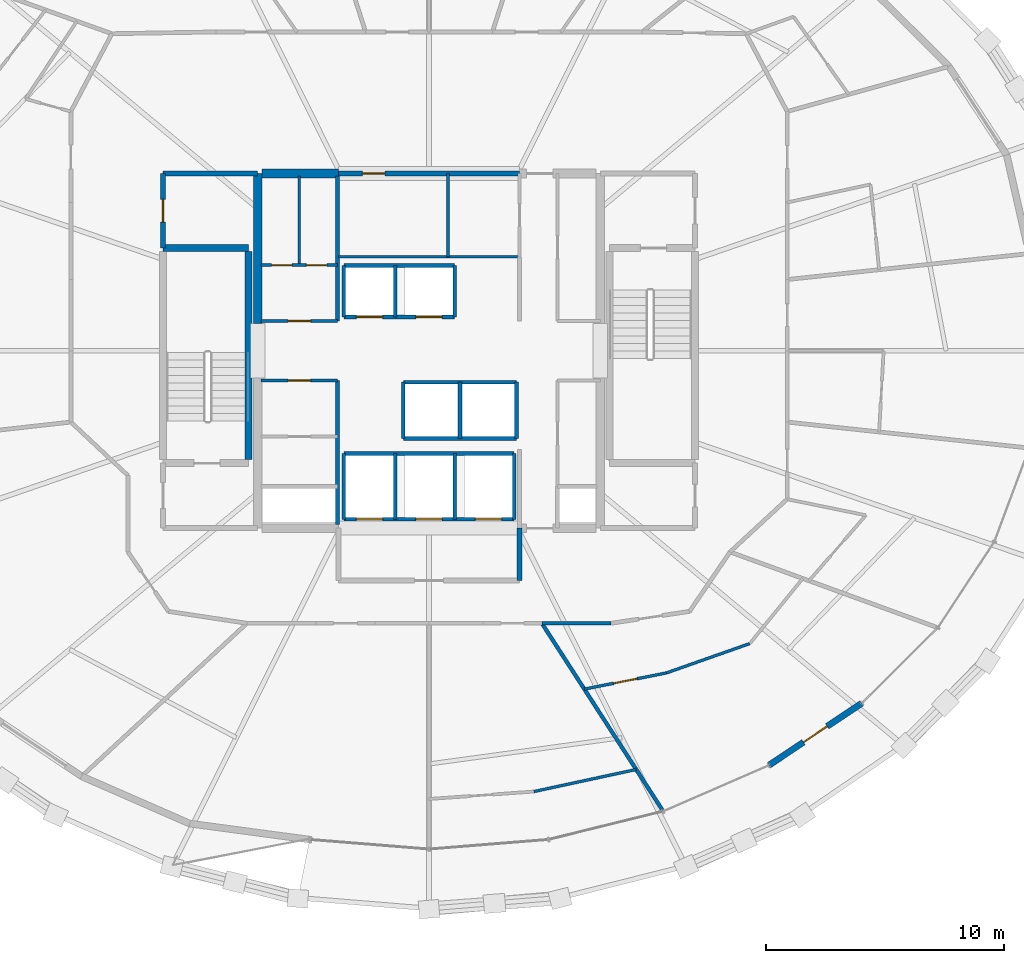
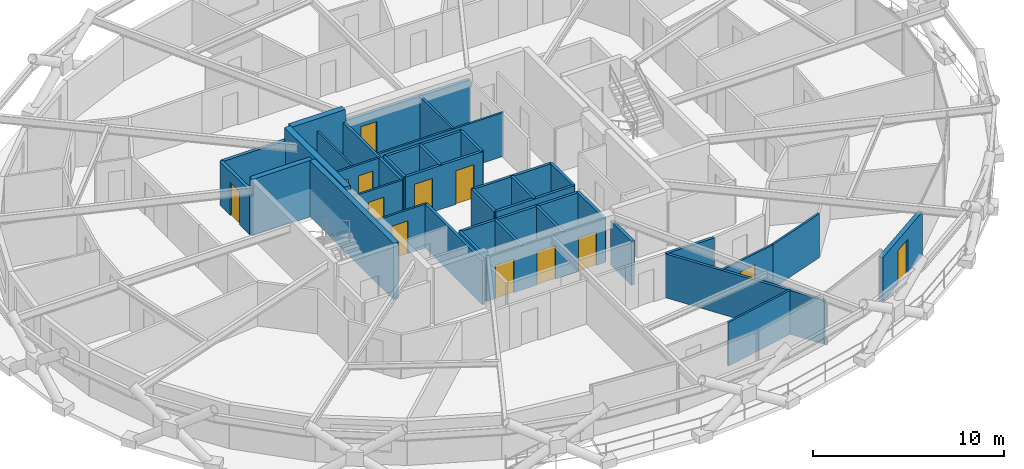
# One storey, part 15 of 19: 38 walls, 13 doors, 13 openings.
"""IFC4 building model written with IfcOpenShell, lengths in metres."""

from ifc_helpers import new_model, si_unit, direction, frame, frame_2d, origin, place, context, subcontext, project, spatial, rectangle, extrude, material, layer, layer_set, type_object, element, fill, save


model = new_model("IFC4")

# Units and contexts
model_context = context("Model", 3, precision=1e-05, world=origin(), true_north=direction((0.0, 1.0)))
body_context = subcontext(model_context, "Body", "Model", "MODEL_VIEW")
ifc_project = project(units=[si_unit("LENGTHUNIT", "METRE"), si_unit("AREAUNIT", "SQUARE_METRE"), si_unit("VOLUMEUNIT", "CUBIC_METRE"), si_unit("PLANEANGLEUNIT", "RADIAN"), si_unit("MASSUNIT", "GRAM", prefix="KILO")], contexts=[model_context])

# Site, building, storey
site_placement = place(None, origin())
site = spatial("IfcSite", under=ifc_project, at=site_placement, CompositionType="ELEMENT")
building_placement = place(site_placement, origin())
building = spatial("IfcBuilding", under=site, at=building_placement, Name="Veldorina Hangang Commons", CompositionType="ELEMENT")
storey_placement = place(building_placement, frame((0.0, 0.0, 156.800048828125)))
storey = spatial("IfcBuildingStorey", under=building, at=storey_placement, Name="L40", CompositionType="ELEMENT", Elevation=156.800048828125)

# Walls
ifc_material_1 = material(Name="Concrete C60/75", Category="concrete")
ifc_layer_1 = layer(ifc_material_1, 0.360107421875)
ifc_layer_set_1 = layer_set([ifc_layer_1], Name="Concrete C60/75")
wall_type_1 = type_object("IfcWallType", Name="CW-RC360-C60", PredefinedType="SHEAR", material=ifc_layer_set_1)
wall_1_placement = place(storey_placement, frame((24.800048828125, 25.14990234375, 0.0), z_axis=(0.0, 0.0, 1.0), x_axis=(0.0, 1.0, 0.0)))
element("IfcWall", 1, at=wall_1_placement, inside=storey, type_object=wall_type_1, Name="L40 W north core shear wall", PredefinedType="SHEAR", context=body_context, shape_type="SweptSolid", body=[
    extrude(rectangle(XDim=6.300048828125, YDim=0.360107421875, at=frame_2d((3.14990234375, 0.0))), origin(), (0.0, 0.0, 1.0), 3.599853515625),
])
wall_2_placement = place(storey_placement, frame((24.97998046875, 31.449951171875, 0.0), z_axis=(0.0, 0.0, 1.0), x_axis=(1.0, 0.0, 0.0)))
element("IfcWall", 2, at=wall_2_placement, inside=storey, type_object=wall_type_1, Name="L40 north-west core shear wall", PredefinedType="SHEAR", context=body_context, shape_type="SweptSolid", body=[
    extrude(rectangle(XDim=3.219970703125, YDim=0.360107421875, at=frame_2d((1.60986328125, 0.0))), origin(), (0.0, 0.0, 1.0), 3.599853515625),
])

# Wall, opening, door
ifc_material_2 = material(Name="Stone Roman Travertine", Category="masonry")
ifc_layer_2 = layer(ifc_material_2, 0.260009765625)
ifc_layer_set_2 = layer_set([ifc_layer_2], Name="Stone Roman Travertine")
wall_type_2 = type_object("IfcWallType", Name="EW-LOGGIA-260", PredefinedType="STANDARD", material=ifc_layer_set_2)
wall_3_placement = place(storey_placement, frame((46.286376953125, 6.58544921875, 0.0), z_axis=(0.0, 0.0, 1.0), x_axis=(0.831368522851, 0.555721494286, 0.0)))
wall_3 = element("IfcWall", 3, at=wall_3_placement, inside=storey, type_object=wall_type_2, Name="L40 sky-garden loggia portal wall 27", PredefinedType="STANDARD", context=body_context, shape_type="SweptSolid", body=[
    extrude(rectangle(XDim=4.68701171875, YDim=0.260009765625, at=frame_2d((2.343505859375, 0.0))), origin(), (0.0, 0.0, 1.0), 2.820068359375),
])
opening_1_placement = place(wall_3_placement, frame((1.74365234375, 0.0, 0.0)))
opening_1 = element("IfcOpeningElement", 4, at=opening_1_placement, cuts=wall_3, Name="Opening BD-1200", PredefinedType="OPENING", context=body_context, shape_type="SweptSolid", body=[
    extrude(rectangle(XDim=1.199951171875, YDim=2.14990234375, at=frame_2d((0.60009765625, 1.074951171875))), frame((0.0, 0.14013671875, 0.0), z_axis=(0.0, -1.0, 0.0), x_axis=(1.0, 0.0, 0.0)), (0.0, 0.0, 1.0), 0.280029296875),
])
ifc_material_3 = material(Name="Glass Thermal Aluminium Frame", Category="aluminium")
door_type_1 = type_object("IfcDoorType", Name="DR-EXT-LOG1200", OperationType="SINGLE_SWING_LEFT", PredefinedType="DOOR", material=ifc_material_3)
door_1_placement = place(opening_1_placement, origin())
door_1 = element("IfcDoor", 5, at=door_1_placement, inside=storey, type_object=door_type_1, Name="L40 loggia glazed exterior door 27", OperationType="SINGLE_SWING_RIGHT", OverallHeight=2.14990234375, OverallWidth=1.199951171875, PredefinedType="DOOR", context=body_context, shape_type="SweptSolid", body=[
    extrude(rectangle(XDim=1.199951171875, YDim=2.14990234375, at=frame_2d((0.60009765625, 1.074951171875))), frame((0.0, 0.02490234375, 0.0), z_axis=(0.0, -1.0, 0.0), x_axis=(1.0, 0.0, 0.0)), (0.0, 0.0, 1.0), 0.050048828125),
])
fill(opening_1, door_1)

# Walls
ifc_material_4 = material(Name="Concrete C50/60", Category="concrete")
ifc_layer_3 = layer(ifc_material_4, 0.300048828125)
ifc_layer_set_3 = layer_set([ifc_layer_3], Name="Concrete C50/60")
wall_type_3 = type_object("IfcWallType", Name="SW-STAIR-300", PredefinedType="SHEAR", material=ifc_layer_set_3)
wall_4_placement = place(storey_placement, frame((24.419921875, 19.429931640625, 0.0), z_axis=(0.0, 0.0, 1.0), x_axis=(0.0, 1.0, 0.0)))
element("IfcWall", 6, at=wall_4_placement, inside=storey, type_object=wall_type_3, Name="L40 ST1 inner stair shear wall", PredefinedType="SHEAR", context=body_context, shape_type="SweptSolid", body=[
    extrude(rectangle(XDim=8.739990234375, YDim=0.300048828125, at=frame_2d((4.3701171875, 0.0))), origin(), (0.0, 0.0, 1.0), 3.599853515625),
])
wall_5_placement = place(storey_placement, frame((20.820068359375, 28.320068359375, 0.0), z_axis=(0.0, 0.0, 1.0), x_axis=(1.0, 0.0, 0.0)))
element("IfcWall", 7, at=wall_5_placement, inside=storey, type_object=wall_type_3, Name="L40 ST1 north stair shear wall", PredefinedType="SHEAR", context=body_context, shape_type="SweptSolid", body=[
    extrude(rectangle(XDim=3.599853515625, YDim=0.300048828125, at=frame_2d((1.7998046875, 0.0))), origin(), (0.0, 0.0, 1.0), 3.599853515625),
])

# Wall, openings, doors
ifc_material_5 = material(Name="Gypsum Fire-Rated Twin Stud Wall", Category="gypsum")
ifc_layer_4 = layer(ifc_material_5, 0.159912109375)
ifc_layer_set_4 = layer_set([ifc_layer_4], Name="Gypsum Fire-Rated Twin Stud Wall")
wall_type_4 = type_object("IfcWallType", Name="WL-FIRE-160", PredefinedType="SOLIDWALL", material=ifc_layer_set_4)
wall_6_placement = place(storey_placement, frame((28.419921875, 25.419921875, 0.0), z_axis=(0.0, 0.0, 1.0), x_axis=(1.0, 0.0, 0.0)))
wall_6 = element("IfcWall", 8, at=wall_6_placement, inside=storey, type_object=wall_type_4, Name="L40 Mid-high front shaft wall 015", PredefinedType="SOLIDWALL", context=body_context, shape_type="SweptSolid", body=[
    extrude(rectangle(XDim=4.66015625, YDim=0.159912109375, at=frame_2d((2.330078125, 0.0))), origin(), (0.0, 0.0, 1.0), 2.800048828125),
])
opening_2_placement = place(wall_6_placement, frame((0.530029296875, 0.0, 0.0)))
opening_2 = element("IfcOpeningElement", 9, at=opening_2_placement, cuts=wall_6, Name="Opening LD-01", PredefinedType="OPENING", context=body_context, shape_type="SweptSolid", body=[
    extrude(rectangle(XDim=1.10009765625, YDim=2.14990234375, at=frame_2d((0.550048828125, 1.074951171875))), frame((0.0, 0.08984375, 0.0), z_axis=(0.0, -1.0, 0.0), x_axis=(1.0, 0.0, 0.0)), (0.0, 0.0, 1.0), 0.179931640625),
])
opening_3_placement = place(wall_6_placement, frame((3.030029296875, 0.0, 0.0)))
opening_3 = element("IfcOpeningElement", 10, at=opening_3_placement, cuts=wall_6, Name="Opening LD-01", PredefinedType="OPENING", context=body_context, shape_type="SweptSolid", body=[
    extrude(rectangle(XDim=1.10009765625, YDim=2.14990234375, at=frame_2d((0.550048828125, 1.074951171875))), frame((0.0, 0.08984375, 0.0), z_axis=(0.0, -1.0, 0.0), x_axis=(1.0, 0.0, 0.0)), (0.0, 0.0, 1.0), 0.179931640625),
])
ifc_material_6 = material(Name="Stainless Steel Brushed Lift Door", Category="steel")
door_type_2 = type_object("IfcDoorType", Name="DR-LIFT-1100", OperationType="SLIDING_TO_LEFT", PredefinedType="DOOR", material=ifc_material_6)
door_2_placement = place(opening_2_placement, origin())
door_2 = element("IfcDoor", 11, at=door_2_placement, inside=storey, type_object=door_type_2, Name="L40 Lift PL-M1 landing door 006", OperationType="SLIDING_TO_RIGHT", OverallHeight=2.14990234375, OverallWidth=1.10009765625, PredefinedType="DOOR", context=body_context, shape_type="SweptSolid", body=[
    extrude(rectangle(XDim=1.10009765625, YDim=2.14990234375, at=frame_2d((0.550048828125, 1.074951171875))), frame((0.0, 0.02490234375, 0.0), z_axis=(0.0, -1.0, 0.0), x_axis=(1.0, 0.0, 0.0)), (0.0, 0.0, 1.0), 0.050048828125),
])
fill(opening_2, door_2)
door_3_placement = place(opening_3_placement, origin())
door_3 = element("IfcDoor", 12, at=door_3_placement, inside=storey, type_object=door_type_2, Name="L40 Lift PL-M2 landing door 007", OperationType="SLIDING_TO_RIGHT", OverallHeight=2.14990234375, OverallWidth=1.10009765625, PredefinedType="DOOR", context=body_context, shape_type="SweptSolid", body=[
    extrude(rectangle(XDim=1.10009765625, YDim=2.14990234375, at=frame_2d((0.550048828125, 1.074951171875))), frame((0.0, 0.02490234375, 0.0), z_axis=(0.0, -1.0, 0.0), x_axis=(1.0, 0.0, 0.0)), (0.0, 0.0, 1.0), 0.050048828125),
])
fill(opening_3, door_3)

# Walls
wall_7_placement = place(storey_placement, frame((28.419921875, 27.580078125, 0.0), z_axis=(0.0, 0.0, 1.0), x_axis=(1.0, 0.0, 0.0)))
element("IfcWall", 13, at=wall_7_placement, inside=storey, type_object=wall_type_4, Name="L40 Mid-high rear shaft wall 016", PredefinedType="SOLIDWALL", context=body_context, shape_type="SweptSolid", body=[
    extrude(rectangle(XDim=4.66015625, YDim=0.159912109375, at=frame_2d((2.330078125, 0.0))), origin(), (0.0, 0.0, 1.0), 2.800048828125),
])
for number, where, z_axis, x_axis, name in (
    (14, (28.419921875, 25.419921875, 0.0), (0.0, 0.0, 1.0), (0.0, 1.0, 0.0), "L40 PL-M1 west shaft wall 017"),
    (15, (30.580078125, 25.419921875, 0.0), (0.0, 0.0, 1.0), (0.0, 1.0, 0.0), "L40 PL-M1 east shaft wall 018"),
    (16, (33.080078125, 25.419921875, 0.0), (0.0, 0.0, 1.0), (0.0, 1.0, 0.0), "L40 PL-M2 east shaft wall 019"),
):
    element("IfcWall", number, at=place(storey_placement, frame(where, z_axis=z_axis, x_axis=x_axis)), inside=storey, type_object=wall_type_4, Name=name, PredefinedType="SOLIDWALL", context=body_context, shape_type="SweptSolid", body=[
        extrude(rectangle(XDim=2.16015625, YDim=0.159912109375, at=frame_2d((1.080078125, 0.0))), origin(), (0.0, 0.0, 1.0), 2.800048828125),
    ])
for number, where, z_axis, x_axis, name in (
    (17, (30.919921875, 22.679931640625, 0.0), (0.0, 0.0, 1.0), (1.0, 0.0, 0.0), "L40 Shuttle-high front shaft wall 020"),
    (18, (30.919921875, 20.320068359375, 0.0), (0.0, 0.0, 1.0), (1.0, 0.0, 0.0), "L40 Shuttle-high rear shaft wall 021"),
):
    element("IfcWall", number, at=place(storey_placement, frame(where, z_axis=z_axis, x_axis=x_axis)), inside=storey, type_object=wall_type_4, Name=name, PredefinedType="SOLIDWALL", context=body_context, shape_type="SweptSolid", body=[
        extrude(rectangle(XDim=4.760009765625, YDim=0.159912109375, at=frame_2d((2.3798828125, 0.0))), origin(), (0.0, 0.0, 1.0), 2.800048828125),
    ])
for number, where, z_axis, x_axis, name in (
    (19, (30.919921875, 20.320068359375, 0.0), (0.0, 0.0, 1.0), (0.0, 1.0, 0.0), "L40 SL-1 west shaft wall 022"),
    (20, (33.300048828125, 20.320068359375, 0.0), (0.0, 0.0, 1.0), (0.0, 1.0, 0.0), "L40 SL-1 east shaft wall 023"),
    (21, (35.679931640625, 20.320068359375, 0.0), (0.0, 0.0, 1.0), (0.0, 1.0, 0.0), "L40 SL-2 east shaft wall 024"),
):
    element("IfcWall", number, at=place(storey_placement, frame(where, z_axis=z_axis, x_axis=x_axis)), inside=storey, type_object=wall_type_4, Name=name, PredefinedType="SOLIDWALL", context=body_context, shape_type="SweptSolid", body=[
        extrude(rectangle(XDim=2.35986328125, YDim=0.159912109375, at=frame_2d((1.179931640625, 0.0))), origin(), (0.0, 0.0, 1.0), 2.800048828125),
    ])

# Wall, openings, doors
wall_8_placement = place(storey_placement, frame((28.419921875, 16.919921875, 0.0), z_axis=(0.0, 0.0, 1.0), x_axis=(1.0, 0.0, 0.0)))
wall_8 = element("IfcWall", 22, at=wall_8_placement, inside=storey, type_object=wall_type_4, Name="L40 Emergency front shaft wall 025", PredefinedType="SOLIDWALL", context=body_context, shape_type="SweptSolid", body=[
    extrude(rectangle(XDim=7.16015625, YDim=0.159912109375, at=frame_2d((3.580078125, 0.0))), origin(), (0.0, 0.0, 1.0), 2.800048828125),
])
opening_4_placement = place(wall_8_placement, frame((0.530029296875, 0.0, 0.0)))
opening_4 = element("IfcOpeningElement", 23, at=opening_4_placement, cuts=wall_8, Name="Opening LD-03", PredefinedType="OPENING", context=body_context, shape_type="SweptSolid", body=[
    extrude(rectangle(XDim=1.10009765625, YDim=2.14990234375, at=frame_2d((0.550048828125, 1.074951171875))), frame((0.0, 0.08984375, 0.0), z_axis=(0.0, -1.0, 0.0), x_axis=(1.0, 0.0, 0.0)), (0.0, 0.0, 1.0), 0.179931640625),
])
opening_5_placement = place(wall_8_placement, frame((3.030029296875, 0.0, 0.0)))
opening_5 = element("IfcOpeningElement", 24, at=opening_5_placement, cuts=wall_8, Name="Opening LD-03", PredefinedType="OPENING", context=body_context, shape_type="SweptSolid", body=[
    extrude(rectangle(XDim=1.10009765625, YDim=2.14990234375, at=frame_2d((0.550048828125, 1.074951171875))), frame((0.0, 0.08984375, 0.0), z_axis=(0.0, -1.0, 0.0), x_axis=(1.0, 0.0, 0.0)), (0.0, 0.0, 1.0), 0.179931640625),
])
opening_6_placement = place(wall_8_placement, frame((5.530029296875, 0.0, 0.0)))
opening_6 = element("IfcOpeningElement", 25, at=opening_6_placement, cuts=wall_8, Name="Opening LD-03", PredefinedType="OPENING", context=body_context, shape_type="SweptSolid", body=[
    extrude(rectangle(XDim=1.10009765625, YDim=2.14990234375, at=frame_2d((0.550048828125, 1.074951171875))), frame((0.0, 0.08984375, 0.0), z_axis=(0.0, -1.0, 0.0), x_axis=(1.0, 0.0, 0.0)), (0.0, 0.0, 1.0), 0.179931640625),
])
ifc_material_7 = material(Name="Stainless Steel Firefighting Lift Door", Category="steel")
door_type_3 = type_object("IfcDoorType", Name="DR-LIFT-FF1100", OperationType="SLIDING_TO_RIGHT", PredefinedType="DOOR", material=ifc_material_7)
door_4_placement = place(opening_4_placement, origin())
door_4 = element("IfcDoor", 26, at=door_4_placement, inside=storey, type_object=door_type_3, Name="L40 Emergency lift FFL-1 landing door 008", OperationType="SLIDING_TO_RIGHT", OverallHeight=2.14990234375, OverallWidth=1.10009765625, PredefinedType="DOOR", context=body_context, shape_type="SweptSolid", body=[
    extrude(rectangle(XDim=1.10009765625, YDim=2.14990234375, at=frame_2d((0.550048828125, 1.074951171875))), frame((0.0, 0.02490234375, 0.0), z_axis=(0.0, -1.0, 0.0), x_axis=(1.0, 0.0, 0.0)), (0.0, 0.0, 1.0), 0.050048828125),
])
fill(opening_4, door_4)
door_5_placement = place(opening_5_placement, origin())
door_5 = element("IfcDoor", 27, at=door_5_placement, inside=storey, type_object=door_type_3, Name="L40 Emergency lift FFL-2 landing door 009", OperationType="SLIDING_TO_RIGHT", OverallHeight=2.14990234375, OverallWidth=1.10009765625, PredefinedType="DOOR", context=body_context, shape_type="SweptSolid", body=[
    extrude(rectangle(XDim=1.10009765625, YDim=2.14990234375, at=frame_2d((0.550048828125, 1.074951171875))), frame((0.0, 0.02490234375, 0.0), z_axis=(0.0, -1.0, 0.0), x_axis=(1.0, 0.0, 0.0)), (0.0, 0.0, 1.0), 0.050048828125),
])
fill(opening_5, door_5)
door_6_placement = place(opening_6_placement, origin())
door_6 = element("IfcDoor", 28, at=door_6_placement, inside=storey, type_object=door_type_3, Name="L40 Emergency lift EVL-1 landing door 010", OperationType="SLIDING_TO_RIGHT", OverallHeight=2.14990234375, OverallWidth=1.10009765625, PredefinedType="DOOR", context=body_context, shape_type="SweptSolid", body=[
    extrude(rectangle(XDim=1.10009765625, YDim=2.14990234375, at=frame_2d((0.550048828125, 1.074951171875))), frame((0.0, 0.02490234375, 0.0), z_axis=(0.0, -1.0, 0.0), x_axis=(1.0, 0.0, 0.0)), (0.0, 0.0, 1.0), 0.050048828125),
])
fill(opening_6, door_6)

# Walls
wall_9_placement = place(storey_placement, frame((28.419921875, 19.679931640625, 0.0), z_axis=(0.0, 0.0, 1.0), x_axis=(1.0, 0.0, 0.0)))
element("IfcWall", 29, at=wall_9_placement, inside=storey, type_object=wall_type_4, Name="L40 Emergency rear shaft wall 026", PredefinedType="SOLIDWALL", context=body_context, shape_type="SweptSolid", body=[
    extrude(rectangle(XDim=7.16015625, YDim=0.159912109375, at=frame_2d((3.580078125, 0.0))), origin(), (0.0, 0.0, 1.0), 2.800048828125),
])
for number, where, z_axis, x_axis, name in (
    (30, (28.419921875, 16.919921875, 0.0), (0.0, 0.0, 1.0), (0.0, 1.0, 0.0), "L40 FFL-1 west shaft wall 027"),
    (31, (30.580078125, 16.919921875, 0.0), (0.0, 0.0, 1.0), (0.0, 1.0, 0.0), "L40 FFL-1 east shaft wall 028"),
    (32, (33.080078125, 16.919921875, 0.0), (0.0, 0.0, 1.0), (0.0, 1.0, 0.0), "L40 FFL-2 east shaft wall 029"),
    (33, (35.580078125, 16.919921875, 0.0), (0.0, 0.0, 1.0), (0.0, 1.0, 0.0), "L40 EVL-1 east shaft wall 030"),
):
    element("IfcWall", number, at=place(storey_placement, frame(where, z_axis=z_axis, x_axis=x_axis)), inside=storey, type_object=wall_type_4, Name=name, PredefinedType="SOLIDWALL", context=body_context, shape_type="SweptSolid", body=[
        extrude(rectangle(XDim=2.760009765625, YDim=0.159912109375, at=frame_2d((1.3798828125, 0.0))), origin(), (0.0, 0.0, 1.0), 2.800048828125),
    ])
wall_10_placement = place(storey_placement, frame((28.14990234375, 16.699951171875, 0.0), z_axis=(0.0, 0.0, 1.0), x_axis=(0.0, 1.0, 0.0)))
element("IfcWall", 34, at=wall_10_placement, inside=storey, type_object=wall_type_4, Name="L40 SW core inner wall 036", PredefinedType="SOLIDWALL", context=body_context, shape_type="SweptSolid", body=[
    extrude(rectangle(XDim=6.050048828125, YDim=0.159912109375, at=frame_2d((3.02490234375, 0.0))), origin(), (0.0, 0.0, 1.0), 2.800048828125),
])
wall_11_placement = place(storey_placement, frame((28.14990234375, 25.25, 0.0), z_axis=(0.0, 0.0, 1.0), x_axis=(0.0, 1.0, 0.0)))
element("IfcWall", 35, at=wall_11_placement, inside=storey, type_object=wall_type_4, Name="L40 NW core inner wall 038", PredefinedType="SOLIDWALL", context=body_context, shape_type="SweptSolid", body=[
    extrude(rectangle(XDim=6.10009765625, YDim=0.159912109375, at=frame_2d((3.050048828125, 0.0))), origin(), (0.0, 0.0, 1.0), 2.800048828125),
])
wall_12_placement = place(storey_placement, frame((36.74267578125, 12.550048828125, 0.0), z_axis=(0.0, 0.0, 1.0), x_axis=(1.0, 0.0, 0.0)))
element("IfcWall", 36, at=wall_12_placement, inside=storey, type_object=wall_type_4, Name="L40 U-corridor outer wall 26 074", PredefinedType="SOLIDWALL", context=body_context, shape_type="SweptSolid", body=[
    extrude(rectangle(XDim=2.907958984375, YDim=0.159912109375, at=frame_2d((1.4541015625, 0.0))), origin(), (0.0, 0.0, 1.0), 2.800048828125),
])
wall_13_placement = place(storey_placement, frame((36.74267578125, 12.550048828125, 0.0), z_axis=(0.0, 0.0, 1.0), x_axis=(0.542222596655, -0.840234881254, 0.0)))
element("IfcWall", 37, at=wall_13_placement, inside=storey, type_object=wall_type_4, Name="L40 Unit party wall 26 080", PredefinedType="SOLIDWALL", context=body_context, shape_type="SweptSolid", body=[
    extrude(rectangle(XDim=9.352294921875, YDim=0.159912109375, at=frame_2d((4.67626953125, 0.0))), origin(), (0.0, 0.0, 1.0), 2.800048828125),
])

# Wall, opening, door
ifc_material_8 = material(Name="Concrete Blockwork Fire Wall C30/37", Category="masonry")
ifc_layer_5 = layer(ifc_material_8, 0.199951171875)
ifc_layer_set_5 = layer_set([ifc_layer_5], Name="Concrete Blockwork Fire Wall C30/37")
wall_type_5 = type_object("IfcWallType", Name="WL-FIRE-200", PredefinedType="SOLIDWALL", material=ifc_layer_set_5)
wall_14_placement = place(storey_placement, frame((20.820068359375, 28.320068359375, 0.0), z_axis=(0.0, 0.0, 1.0), x_axis=(0.0, 1.0, 0.0)))
wall_14 = element("IfcWall", 38, at=wall_14_placement, inside=storey, type_object=wall_type_5, Name="L40 NW core room outer wall 005", PredefinedType="SOLIDWALL", context=body_context, shape_type="SweptSolid", body=[
    extrude(rectangle(XDim=3.1298828125, YDim=0.199951171875, at=frame_2d((1.56494140625, 0.0))), origin(), (0.0, 0.0, 1.0), 2.800048828125),
])
opening_7_placement = place(wall_14_placement, frame((1.090087890625, 0.0, 0.0)))
opening_7 = element("IfcOpeningElement", 39, at=opening_7_placement, cuts=wall_14, Name="Opening D-04", PredefinedType="OPENING", context=body_context, shape_type="SweptSolid", body=[
    extrude(rectangle(XDim=0.949951171875, YDim=2.10009765625, at=frame_2d((0.47509765625, 1.050048828125))), frame((0.0, 0.10986328125, 0.0), z_axis=(0.0, -1.0, 0.0), x_axis=(1.0, 0.0, 0.0)), (0.0, 0.0, 1.0), 0.219970703125),
])
ifc_material_9 = material(Name="Timber Accessible Flush Leaf", Category="wood")
door_type_4 = type_object("IfcDoorType", Name="DR-ACC-950", OperationType="SINGLE_SWING_LEFT", PredefinedType="DOOR", material=ifc_material_9)
door_7_placement = place(opening_7_placement, origin())
door_7 = element("IfcDoor", 40, at=door_7_placement, inside=storey, type_object=door_type_4, Name="L40 NW core WC door 003", OperationType="SINGLE_SWING_LEFT", OverallHeight=2.10009765625, OverallWidth=0.949951171875, PredefinedType="DOOR", context=body_context, shape_type="SweptSolid", body=[
    extrude(rectangle(XDim=0.949951171875, YDim=2.10009765625, at=frame_2d((0.47509765625, 1.050048828125))), frame((0.0, 0.02490234375, 0.0), z_axis=(0.0, -1.0, 0.0), x_axis=(1.0, 0.0, 0.0)), (0.0, 0.0, 1.0), 0.050048828125),
])
fill(opening_7, door_7)

# Walls
wall_15_placement = place(storey_placement, frame((20.820068359375, 31.449951171875, 0.0), z_axis=(0.0, 0.0, 1.0), x_axis=(1.0, 0.0, 0.0)))
element("IfcWall", 41, at=wall_15_placement, inside=storey, type_object=wall_type_5, Name="L40 NW core room north wall 006", PredefinedType="SOLIDWALL", context=body_context, shape_type="SweptSolid", body=[
    extrude(rectangle(XDim=3.97998046875, YDim=0.199951171875, at=frame_2d((1.989990234375, 0.0))), origin(), (0.0, 0.0, 1.0), 2.800048828125),
])
wall_16_placement = place(storey_placement, frame((35.800048828125, 14.35009765625, 0.0), z_axis=(0.0, 0.0, 1.0), x_axis=(0.0, 1.0, 0.0)))
element("IfcWall", 42, at=wall_16_placement, inside=storey, type_object=wall_type_5, Name="L40 FF lobby east wall 013", PredefinedType="SOLIDWALL", context=body_context, shape_type="SweptSolid", body=[
    extrude(rectangle(XDim=2.199951171875, YDim=0.199951171875, at=frame_2d((1.10009765625, 0.0))), origin(), (0.0, 0.0, 1.0), 2.800048828125),
])

# Wall, opening, door
wall_17_placement = place(storey_placement, frame((28.199951171875, 31.449951171875, 0.0), z_axis=(0.0, 0.0, 1.0), x_axis=(1.0, 0.0, 0.0)))
wall_17 = element("IfcWall", 43, at=wall_17_placement, inside=storey, type_object=wall_type_5, Name="L40 Merged north core wall 031", PredefinedType="SOLIDWALL", context=body_context, shape_type="SweptSolid", body=[
    extrude(rectangle(XDim=7.60009765625, YDim=0.199951171875, at=frame_2d((3.800048828125, 0.0))), origin(), (0.0, 0.0, 1.0), 2.800048828125),
])
opening_8_placement = place(wall_17_placement, frame((1.0, 0.0, 0.0)))
opening_8 = element("IfcOpeningElement", 44, at=opening_8_placement, cuts=wall_17, Name="Opening D-02", PredefinedType="OPENING", context=body_context, shape_type="SweptSolid", body=[
    extrude(rectangle(XDim=0.949951171875, YDim=2.10009765625, at=frame_2d((0.47509765625, 1.050048828125))), frame((0.0, 0.10986328125, 0.0), z_axis=(0.0, -1.0, 0.0), x_axis=(1.0, 0.0, 0.0)), (0.0, 0.0, 1.0), 0.219970703125),
])
ifc_material_10 = material(Name="Timber Solid Core Acoustic", Category="wood")
door_type_5 = type_object("IfcDoorType", Name="DR-INT-950", OperationType="SINGLE_SWING_LEFT", PredefinedType="DOOR", material=ifc_material_10)
door_8_placement = place(opening_8_placement, origin())
door_8 = element("IfcDoor", 45, at=door_8_placement, inside=storey, type_object=door_type_5, Name="L40 Core study alcove door 011", OperationType="SINGLE_SWING_LEFT", OverallHeight=2.10009765625, OverallWidth=0.949951171875, PredefinedType="DOOR", context=body_context, shape_type="SweptSolid", body=[
    extrude(rectangle(XDim=0.949951171875, YDim=2.10009765625, at=frame_2d((0.47509765625, 1.050048828125))), frame((0.0, 0.02490234375, 0.0), z_axis=(0.0, -1.0, 0.0), x_axis=(1.0, 0.0, 0.0)), (0.0, 0.0, 1.0), 0.050048828125),
])
fill(opening_8, door_8)

# Walls
ifc_material_11 = material(Name="Gypsum Acoustic Stud Partition", Category="gypsum")
ifc_layer_6 = layer(ifc_material_11, 0.1201171875)
ifc_layer_set_6 = layer_set([ifc_layer_6], Name="Gypsum Acoustic Stud Partition")
wall_type_6 = type_object("IfcWallType", Name="WL-PART-120", PredefinedType="PARTITIONING", material=ifc_layer_set_6)
wall_18_placement = place(storey_placement, frame((28.199951171875, 27.949951171875, 0.0), z_axis=(0.0, 0.0, 1.0), x_axis=(1.0, 0.0, 0.0)))
element("IfcWall", 46, at=wall_18_placement, inside=storey, type_object=wall_type_6, Name="L40 Merged north south wall 032", PredefinedType="PARTITIONING", context=body_context, shape_type="SweptSolid", body=[
    extrude(rectangle(XDim=7.60009765625, YDim=0.1201171875, at=frame_2d((3.800048828125, 0.0))), origin(), (0.0, 0.0, 1.0), 2.800048828125),
])
wall_19_placement = place(storey_placement, frame((32.800048828125, 27.949951171875, 0.0), z_axis=(0.0, 0.0, 1.0), x_axis=(0.0, 1.0, 0.0)))
element("IfcWall", 47, at=wall_19_placement, inside=storey, type_object=wall_type_6, Name="L40 Merged north split wall 034", PredefinedType="PARTITIONING", context=body_context, shape_type="SweptSolid", body=[
    extrude(rectangle(XDim=3.5, YDim=0.1201171875, at=frame_2d((1.75, 0.0))), origin(), (0.0, 0.0, 1.0), 2.800048828125),
])

# Wall, opening, door
wall_20_placement = place(storey_placement, frame((24.949951171875, 25.25, 0.0), z_axis=(0.0, 0.0, 1.0), x_axis=(1.0, 0.0, 0.0)))
wall_20 = element("IfcWall", 48, at=wall_20_placement, inside=storey, type_object=wall_type_6, Name="L40 NW service south wall 039", PredefinedType="PARTITIONING", context=body_context, shape_type="SweptSolid", body=[
    extrude(rectangle(XDim=3.199951171875, YDim=0.1201171875, at=frame_2d((1.60009765625, 0.0))), origin(), (0.0, 0.0, 1.0), 2.800048828125),
])
opening_9_placement = place(wall_20_placement, frame((1.125, 0.0, 0.0)))
opening_9 = element("IfcOpeningElement", 49, at=opening_9_placement, cuts=wall_20, Name="Opening D-02", PredefinedType="OPENING", context=body_context, shape_type="SweptSolid", body=[
    extrude(rectangle(XDim=0.949951171875, YDim=2.10009765625, at=frame_2d((0.47509765625, 1.050048828125))), frame((0.0, 0.070068359375, 0.0), z_axis=(0.0, -1.0, 0.0), x_axis=(1.0, 0.0, 0.0)), (0.0, 0.0, 1.0), 0.14013671875),
])
door_9_placement = place(opening_9_placement, origin())
door_9 = element("IfcDoor", 50, at=door_9_placement, inside=storey, type_object=door_type_5, Name="L40 Utility vestibule door 013", OperationType="SINGLE_SWING_LEFT", OverallHeight=2.10009765625, OverallWidth=0.949951171875, PredefinedType="DOOR", context=body_context, shape_type="SweptSolid", body=[
    extrude(rectangle(XDim=0.949951171875, YDim=2.10009765625, at=frame_2d((0.47509765625, 1.050048828125))), frame((0.0, 0.02490234375, 0.0), z_axis=(0.0, -1.0, 0.0), x_axis=(1.0, 0.0, 0.0)), (0.0, 0.0, 1.0), 0.050048828125),
])
fill(opening_9, door_9)

wall_21_placement = place(storey_placement, frame((24.949951171875, 22.75, 0.0), z_axis=(0.0, 0.0, 1.0), x_axis=(1.0, 0.0, 0.0)))
wall_21 = element("IfcWall", 51, at=wall_21_placement, inside=storey, type_object=wall_type_6, Name="L40 SW service north wall 040", PredefinedType="PARTITIONING", context=body_context, shape_type="SweptSolid", body=[
    extrude(rectangle(XDim=3.199951171875, YDim=0.1201171875, at=frame_2d((1.60009765625, 0.0))), origin(), (0.0, 0.0, 1.0), 2.800048828125),
])
opening_10_placement = place(wall_21_placement, frame((1.125, 0.0, 0.0)))
opening_10 = element("IfcOpeningElement", 52, at=opening_10_placement, cuts=wall_21, Name="Opening D-02", PredefinedType="OPENING", context=body_context, shape_type="SweptSolid", body=[
    extrude(rectangle(XDim=0.949951171875, YDim=2.10009765625, at=frame_2d((0.47509765625, 1.050048828125))), frame((0.0, 0.070068359375, 0.0), z_axis=(0.0, -1.0, 0.0), x_axis=(1.0, 0.0, 0.0)), (0.0, 0.0, 1.0), 0.14013671875),
])
door_10_placement = place(opening_10_placement, origin())
door_10 = element("IfcDoor", 53, at=door_10_placement, inside=storey, type_object=door_type_5, Name="L40 Recycling room door 016", OperationType="SINGLE_SWING_RIGHT", OverallHeight=2.10009765625, OverallWidth=0.949951171875, PredefinedType="DOOR", context=body_context, shape_type="SweptSolid", body=[
    extrude(rectangle(XDim=0.949951171875, YDim=2.10009765625, at=frame_2d((0.47509765625, 1.050048828125))), frame((0.0, 0.02490234375, 0.0), z_axis=(0.0, -1.0, 0.0), x_axis=(1.0, 0.0, 0.0)), (0.0, 0.0, 1.0), 0.050048828125),
])
fill(opening_10, door_10)

# Wall, openings, doors
wall_22_placement = place(storey_placement, frame((24.949951171875, 27.60009765625, 0.0), z_axis=(0.0, 0.0, 1.0), x_axis=(1.0, 0.0, 0.0)))
wall_22 = element("IfcWall", 54, at=wall_22_placement, inside=storey, type_object=wall_type_6, Name="L40 NW lower split 045", PredefinedType="PARTITIONING", context=body_context, shape_type="SweptSolid", body=[
    extrude(rectangle(XDim=3.199951171875, YDim=0.1201171875, at=frame_2d((1.60009765625, 0.0))), origin(), (0.0, 0.0, 1.0), 2.800048828125),
])
opening_11_placement = place(wall_22_placement, frame((0.43994140625, 0.0, 0.0)))
opening_11 = element("IfcOpeningElement", 55, at=opening_11_placement, cuts=wall_22, Name="Opening D-01", PredefinedType="OPENING", context=body_context, shape_type="SweptSolid", body=[
    extrude(rectangle(XDim=0.860107421875, YDim=2.10009765625, at=frame_2d((0.43017578125, 1.050048828125))), frame((0.0, 0.070068359375, 0.0), z_axis=(0.0, -1.0, 0.0), x_axis=(1.0, 0.0, 0.0)), (0.0, 0.0, 1.0), 0.14013671875),
])
opening_12_placement = place(wall_22_placement, frame((1.89990234375, 0.0, 0.0)))
opening_12 = element("IfcOpeningElement", 56, at=opening_12_placement, cuts=wall_22, Name="Opening D-01", PredefinedType="OPENING", context=body_context, shape_type="SweptSolid", body=[
    extrude(rectangle(XDim=0.860107421875, YDim=2.10009765625, at=frame_2d((0.43017578125, 1.050048828125))), frame((0.0, 0.070068359375, 0.0), z_axis=(0.0, -1.0, 0.0), x_axis=(1.0, 0.0, 0.0)), (0.0, 0.0, 1.0), 0.14013671875),
])
ifc_material_12 = material(Name="Timber Moisture-Resistant Core", Category="wood")
door_type_6 = type_object("IfcDoorType", Name="DR-WET-860", OperationType="SINGLE_SWING_LEFT", PredefinedType="DOOR", material=ifc_material_12)
door_11_placement = place(opening_11_placement, origin())
door_11 = element("IfcDoor", 57, at=door_11_placement, inside=storey, type_object=door_type_6, Name="L40 Store A door 014", OperationType="SINGLE_SWING_RIGHT", OverallHeight=2.10009765625, OverallWidth=0.860107421875, PredefinedType="DOOR", context=body_context, shape_type="SweptSolid", body=[
    extrude(rectangle(XDim=0.860107421875, YDim=2.10009765625, at=frame_2d((0.43017578125, 1.050048828125))), frame((0.0, 0.02490234375, 0.0), z_axis=(0.0, -1.0, 0.0), x_axis=(1.0, 0.0, 0.0)), (0.0, 0.0, 1.0), 0.050048828125),
])
fill(opening_11, door_11)
door_12_placement = place(opening_12_placement, origin())
door_12 = element("IfcDoor", 58, at=door_12_placement, inside=storey, type_object=door_type_6, Name="L40 Store B door 015", OperationType="SINGLE_SWING_LEFT", OverallHeight=2.10009765625, OverallWidth=0.860107421875, PredefinedType="DOOR", context=body_context, shape_type="SweptSolid", body=[
    extrude(rectangle(XDim=0.860107421875, YDim=2.10009765625, at=frame_2d((0.43017578125, 1.050048828125))), frame((0.0, 0.02490234375, 0.0), z_axis=(0.0, -1.0, 0.0), x_axis=(1.0, 0.0, 0.0)), (0.0, 0.0, 1.0), 0.050048828125),
])
fill(opening_12, door_12)

# Wall
wall_23_placement = place(storey_placement, frame((26.550048828125, 27.60009765625, 0.0), z_axis=(0.0, 0.0, 1.0), x_axis=(0.0, 1.0, 0.0)))
element("IfcWall", 59, at=wall_23_placement, inside=storey, type_object=wall_type_6, Name="L40 NW upper vertical split 046", PredefinedType="PARTITIONING", context=body_context, shape_type="SweptSolid", body=[
    extrude(rectangle(XDim=3.75, YDim=0.1201171875, at=frame_2d((1.875, 0.0))), origin(), (0.0, 0.0, 1.0), 2.800048828125),
])

# Wall, opening, door
wall_24_placement = place(storey_placement, frame((38.527099609375, 9.784912109375, 0.0), z_axis=(0.0, 0.0, 1.0), x_axis=(0.981217112096, 0.192906658595, 0.0)))
wall_24 = element("IfcWall", 60, at=wall_24_placement, inside=storey, type_object=wall_type_6, Name="L40 Lounge alcove split 0 081", PredefinedType="PARTITIONING", context=body_context, shape_type="SweptSolid", body=[
    extrude(rectangle(XDim=3.511962890625, YDim=0.1201171875, at=frame_2d((1.755859375, 0.0))), origin(), (0.0, 0.0, 1.0), 2.800048828125),
])
opening_13_placement = place(wall_24_placement, frame((1.256103515625, 0.0, 0.0)))
opening_13 = element("IfcOpeningElement", 61, at=opening_13_placement, cuts=wall_24, Name="Opening D-05", PredefinedType="OPENING", context=body_context, shape_type="SweptSolid", body=[
    extrude(rectangle(XDim=1.0, YDim=2.10009765625, at=frame_2d((0.5, 1.050048828125))), frame((0.0, 0.070068359375, 0.0), z_axis=(0.0, -1.0, 0.0), x_axis=(1.0, 0.0, 0.0)), (0.0, 0.0, 1.0), 0.14013671875),
])
door_type_7 = type_object("IfcDoorType", Name="DR-INT-1000", OperationType="SINGLE_SWING_RIGHT", PredefinedType="DOOR", material=ifc_material_10)
door_13_placement = place(opening_13_placement, origin())
door_13 = element("IfcDoor", 62, at=door_13_placement, inside=storey, type_object=door_type_7, Name="L40 Commons lounge door 021", OperationType="SINGLE_SWING_LEFT", OverallHeight=2.10009765625, OverallWidth=1.0, PredefinedType="DOOR", context=body_context, shape_type="SweptSolid", body=[
    extrude(rectangle(XDim=1.0, YDim=2.10009765625, at=frame_2d((0.5, 1.050048828125))), frame((0.0, 0.02490234375, 0.0), z_axis=(0.0, -1.0, 0.0), x_axis=(1.0, 0.0, 0.0)), (0.0, 0.0, 1.0), 0.050048828125),
])
fill(opening_13, door_13)

# Walls
wall_25_placement = place(storey_placement, frame((41.97314453125, 10.46240234375, 0.0), z_axis=(0.0, 0.0, 1.0), x_axis=(0.943136844467, 0.332404712075, 0.0)))
element("IfcWall", 63, at=wall_25_placement, inside=storey, type_object=wall_type_6, Name="L40 Lounge alcove split 1 082", PredefinedType="PARTITIONING", context=body_context, shape_type="SweptSolid", body=[
    extrude(rectangle(XDim=3.719970703125, YDim=0.1201171875, at=frame_2d((1.85986328125, 0.0))), origin(), (0.0, 0.0, 1.0), 2.800048828125),
])
wall_26_placement = place(storey_placement, frame((36.40771484375, 5.4794921875, 0.0), z_axis=(0.0, 0.0, 1.0), x_axis=(0.977549074865, 0.21070786941, 0.0)))
element("IfcWall", 64, at=wall_26_placement, inside=storey, type_object=wall_type_6, Name="L40 Laundry split 1 121", PredefinedType="PARTITIONING", context=body_context, shape_type="SweptSolid", body=[
    extrude(rectangle(XDim=4.398193359375, YDim=0.1201171875, at=frame_2d((2.19921875, 0.0))), origin(), (0.0, 0.0, 1.0), 2.800048828125),
])

save(model, "model.ifc")
